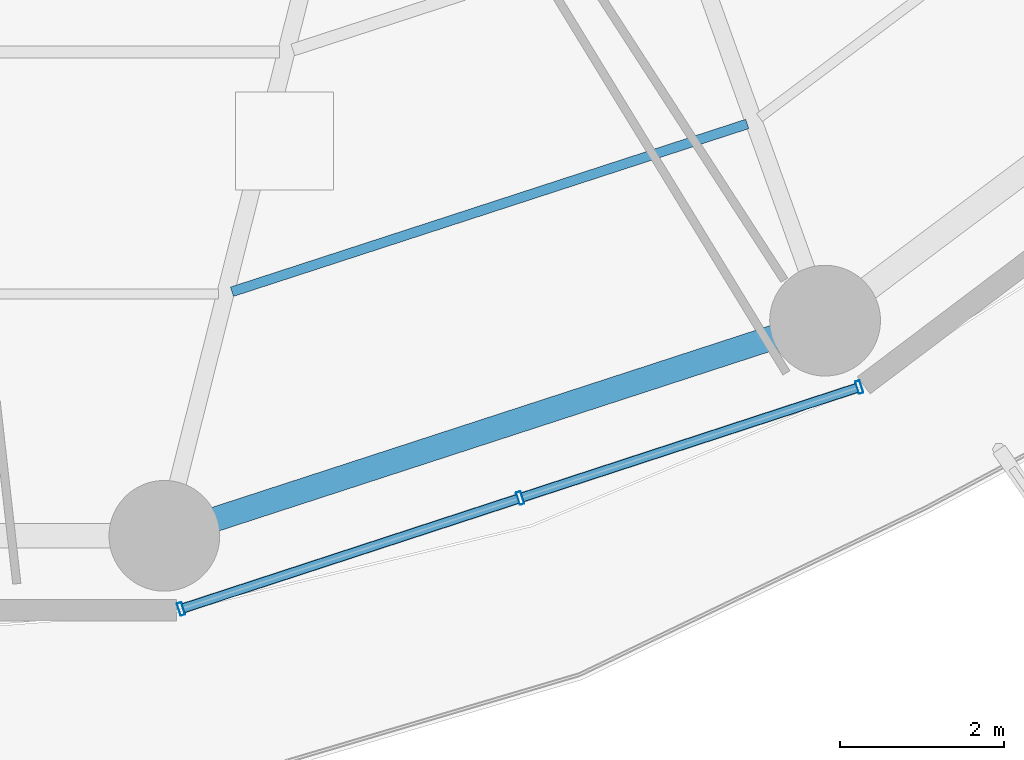
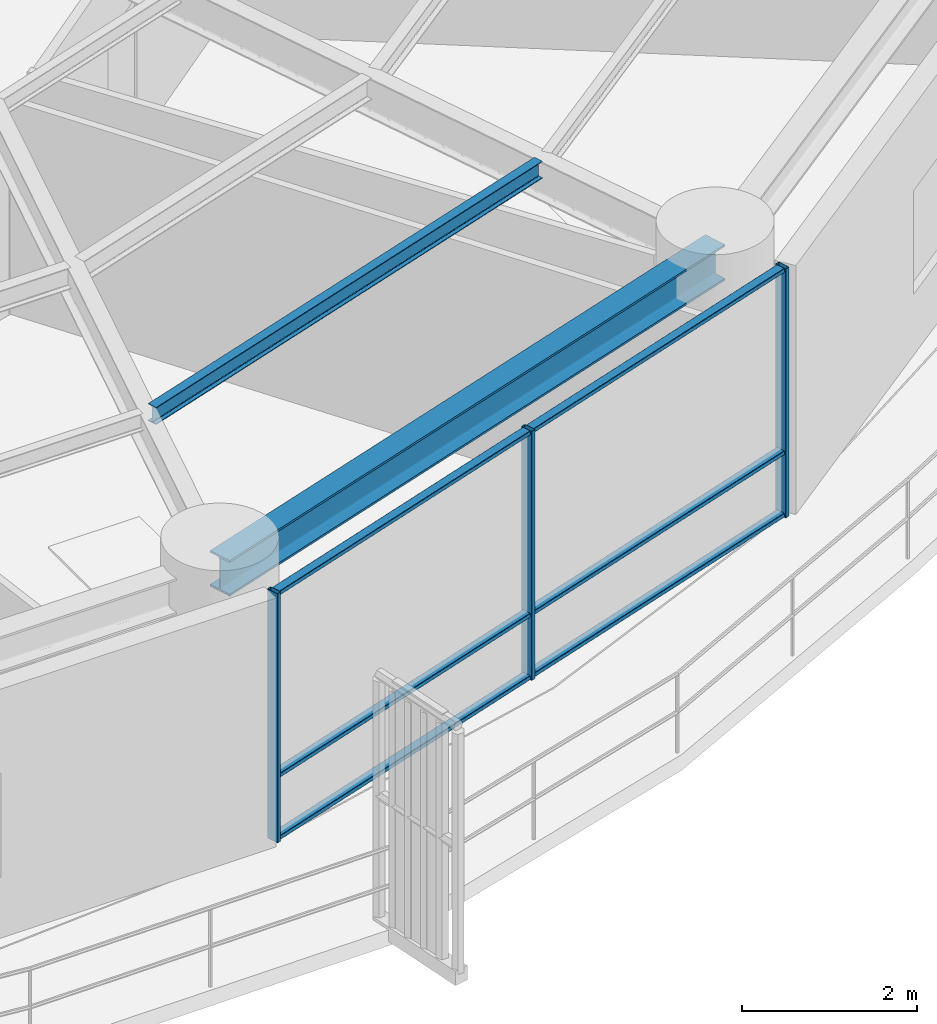
# One storey, part 8 of 33: 9 members, 2 beams, 1 element without a shape of its own.
"""IFC4 building model written with IfcOpenShell, lengths in metres."""

from ifc_helpers import new_model, si_unit, direction, frame, origin, origin_2d, place, context, subcontext, project, spatial, hollow_rectangle, i_section, extrude, material, layer, layer_set, material_profile, profile_set, type_object, element, aggregate, save


model = new_model("IFC4")

# Units and contexts
model_context = context("Model", 3, precision=1e-05, world=origin(), true_north=direction((0.0, 1.0)))
body_context = subcontext(model_context, "Body", "Model", "MODEL_VIEW")
ifc_project = project(units=[si_unit("LENGTHUNIT", "METRE"), si_unit("AREAUNIT", "SQUARE_METRE"), si_unit("VOLUMEUNIT", "CUBIC_METRE"), si_unit("PLANEANGLEUNIT", "RADIAN"), si_unit("MASSUNIT", "GRAM", prefix="KILO")], contexts=[model_context])

# Site, building, storey
site_placement = place(None, origin())
site = spatial("IfcSite", under=ifc_project, at=site_placement, CompositionType="ELEMENT")
building_placement = place(site_placement, origin())
building = spatial("IfcBuilding", under=site, at=building_placement, Name="Kelanora Arch Commons", CompositionType="ELEMENT")
storey_placement = place(building_placement, frame((0.0, 0.0, 80.10009765625)))
storey = spatial("IfcBuildingStorey", under=building, at=storey_placement, Name="L20", CompositionType="ELEMENT", Elevation=80.10009765625)

# Beams
ifc_material_1 = material(Name="Steel S355", Category="steel")
ifc_material_profile_1 = material_profile(ifc_material_1, i_section(OverallWidth=0.1201171875, OverallDepth=0.239990234375, WebThickness=0.006103515625, FlangeThickness=0.009765625, FilletRadius=0.014892578125, at=origin_2d()), Name="IPE240")
ifc_profile_set_1 = profile_set([ifc_material_profile_1], Name="Steel S355")
beam_type_1 = type_object("IfcBeamType", Name="BM-JST-02", PredefinedType="JOIST", material=ifc_profile_set_1)
beam_1_placement = place(storey_placement, frame((79.109375, 39.230712890625, 3.369873046875), z_axis=(0.950862829272, 0.309612467301, 0.0), x_axis=(-0.309612467301, 0.950862829272, 0.0)))
element("IfcBeam", 1, at=beam_1_placement, inside=storey, type_object=beam_type_1, Name="Secondary Chord Joist BJC-28 L20", PredefinedType="JOIST", context=body_context, shape_type="SweptSolid", body=[
    extrude(i_section(OverallWidth=0.1201171875, OverallDepth=0.239990234375, WebThickness=0.006103515625, FlangeThickness=0.009765625, FilletRadius=0.014892578125, at=origin_2d()), origin(), (0.0, 0.0, 1.0), 6.6064453125),
])
ifc_material_profile_2 = material_profile(ifc_material_1, i_section(OverallWidth=0.300048828125, OverallDepth=0.5, WebThickness=0.014404296875, FlangeThickness=0.028076171875, FilletRadius=0.027099609375, at=origin_2d()), Name="HEB500")
ifc_profile_set_2 = profile_set([ifc_material_profile_2], Name="Steel S355")
beam_type_2 = type_object("IfcBeamType", Name="BM-SPN-Z2", PredefinedType="SPANDREL", material=ifc_profile_set_2)
beam_2_placement = place(storey_placement, frame((78.28564453125, 36.25537109375, 3.239990234375), z_axis=(0.950856631974, 0.309631499418, 0.0), x_axis=(-0.309631499418, 0.950856631974, 0.0)))
element("IfcBeam", 2, at=beam_2_placement, inside=storey, type_object=beam_type_2, Name="Perimeter Spandrel Beam BS-28 L20", PredefinedType="SPANDREL", context=body_context, shape_type="SweptSolid", body=[
    extrude(i_section(OverallWidth=0.300048828125, OverallDepth=0.5, WebThickness=0.014404296875, FlangeThickness=0.028076171875, FilletRadius=0.027099609375, at=origin_2d()), origin(), (0.0, 0.0, 1.0), 8.470703125),
])

# Curtain wall, members
ifc_material_2 = material(Name="Terracotta ceramic-fritted low-E glass and aluminium", Category="masonry")
ifc_layer = layer(ifc_material_2, 0.159912109375)
ifc_layer_set = layer_set([ifc_layer], Name="Terracotta ceramic-fritted low-E glass and aluminium")
curtain_wall_type = type_object("IfcCurtainWallType", Name="CW-SYS-01", PredefinedType="NOTDEFINED", material=ifc_layer_set)
curtain_wall_placement = place(storey_placement, origin())
curtain_wall = element("IfcCurtainWall", 3, at=curtain_wall_placement, inside=storey, type_object=curtain_wall_type, Name="Unitised Curtain Wall L20-B14", PredefinedType="NOTDEFINED")
ifc_material_3 = material(Name="Powder-coated aluminium terracotta", Category="masonry")
ifc_material_profile_3 = material_profile(ifc_material_3, hollow_rectangle(XDim=0.159912109375, YDim=0.06005859375, WallThickness=0.0048828125, InnerFilletRadius=0.0048828125, OuterFilletRadius=0.010009765625, at=origin_2d()), Name="CWM160x60")
ifc_profile_set_3 = profile_set([ifc_material_profile_3], Name="Powder-coated aluminium terracotta")
member_type_1 = type_object("IfcMemberType", Name="CWM-STD", PredefinedType="MULLION", material=ifc_profile_set_3)
member_1_placement = place(storey_placement, frame((78.48828125, 35.363525390625, 0.0), z_axis=(0.0, 0.0, 1.0), x_axis=(-0.31080470294, 0.950473795867, 0.0)))
member_1 = element("IfcMember", 4, at=member_1_placement, type_object=member_type_1, Name="CW-01 mullion 1", PredefinedType="MULLION", context=body_context, shape_type="SweptSolid", body=[
    extrude(hollow_rectangle(XDim=0.159912109375, YDim=0.06005859375, WallThickness=0.0048828125, InnerFilletRadius=0.0048828125, OuterFilletRadius=0.010009765625, at=origin_2d()), origin(), (0.0, 0.0, 1.0), 3.474853515625),
])
member_2_placement = place(storey_placement, frame((82.622802734375, 36.71533203125, 0.0), z_axis=(0.0, 0.0, 1.0), x_axis=(-0.31080470294, 0.950473795867, 0.0)))
member_2 = element("IfcMember", 5, at=member_2_placement, type_object=member_type_1, Name="CW-01 mullion 2", PredefinedType="MULLION", context=body_context, shape_type="SweptSolid", body=[
    extrude(hollow_rectangle(XDim=0.159912109375, YDim=0.06005859375, WallThickness=0.0048828125, InnerFilletRadius=0.0048828125, OuterFilletRadius=0.010009765625, at=origin_2d()), origin(), (0.0, 0.0, 1.0), 3.474853515625),
])
member_3_placement = place(storey_placement, frame((86.757080078125, 38.0673828125, 0.0), z_axis=(0.0, 0.0, 1.0), x_axis=(-0.31080470294, 0.950473795867, 0.0)))
member_3 = element("IfcMember", 6, at=member_3_placement, type_object=member_type_1, Name="CW-01 mullion 3", PredefinedType="MULLION", context=body_context, shape_type="SweptSolid", body=[
    extrude(hollow_rectangle(XDim=0.159912109375, YDim=0.06005859375, WallThickness=0.0048828125, InnerFilletRadius=0.0048828125, OuterFilletRadius=0.010009765625, at=origin_2d()), origin(), (0.0, 0.0, 1.0), 3.474853515625),
])
ifc_material_profile_4 = material_profile(ifc_material_3, hollow_rectangle(XDim=0.1201171875, YDim=0.06005859375, WallThickness=0.0048828125, InnerFilletRadius=0.0048828125, OuterFilletRadius=0.010009765625, at=origin_2d()), Name="CWT120x60")
ifc_profile_set_4 = profile_set([ifc_material_profile_4], Name="Powder-coated aluminium terracotta")
member_type_2 = type_object("IfcMemberType", Name="CWT-STD", PredefinedType="USERDEFINED", material=ifc_profile_set_4)
member_4_placement = place(storey_placement, frame((78.516845703125, 35.372802734375, 0.02978515625), z_axis=(0.950477544745, 0.31079323824, 0.0), x_axis=(-0.31079323824, 0.950477544745, 0.0)))
member_4 = element("IfcMember", 7, at=member_4_placement, type_object=member_type_2, Name="CW-01 transom 1.1", ObjectType="TRANSOM", PredefinedType="USERDEFINED", context=body_context, shape_type="SweptSolid", body=[
    extrude(hollow_rectangle(XDim=0.1201171875, YDim=0.06005859375, WallThickness=0.0048828125, InnerFilletRadius=0.0048828125, OuterFilletRadius=0.010009765625, at=origin_2d()), origin(), (0.0, 0.0, 1.0), 4.289794921875),
])
member_5_placement = place(storey_placement, frame((78.516845703125, 35.372802734375, 0.89990234375), z_axis=(0.950477544745, 0.31079323824, 0.0), x_axis=(-0.31079323824, 0.950477544745, 0.0)))
member_5 = element("IfcMember", 8, at=member_5_placement, type_object=member_type_2, Name="CW-01 transom 1.2", ObjectType="TRANSOM", PredefinedType="USERDEFINED", context=body_context, shape_type="SweptSolid", body=[
    extrude(hollow_rectangle(XDim=0.1201171875, YDim=0.06005859375, WallThickness=0.0048828125, InnerFilletRadius=0.0048828125, OuterFilletRadius=0.010009765625, at=origin_2d()), origin(), (0.0, 0.0, 1.0), 4.289794921875),
])
member_6_placement = place(storey_placement, frame((78.516845703125, 35.372802734375, 3.44482421875), z_axis=(0.950477544745, 0.31079323824, 0.0), x_axis=(-0.31079323824, 0.950477544745, 0.0)))
member_6 = element("IfcMember", 9, at=member_6_placement, type_object=member_type_2, Name="CW-01 transom 1.3", ObjectType="TRANSOM", PredefinedType="USERDEFINED", context=body_context, shape_type="SweptSolid", body=[
    extrude(hollow_rectangle(XDim=0.1201171875, YDim=0.06005859375, WallThickness=0.0048828125, InnerFilletRadius=0.0048828125, OuterFilletRadius=0.010009765625, at=origin_2d()), origin(), (0.0, 0.0, 1.0), 4.289794921875),
])
member_7_placement = place(storey_placement, frame((82.651123046875, 36.724609375, 0.02978515625), z_axis=(0.950466230394, 0.310827838008, 0.0), x_axis=(-0.310827838008, 0.950466230394, 0.0)))
member_7 = element("IfcMember", 10, at=member_7_placement, type_object=member_type_2, Name="CW-01 transom 2.1", ObjectType="TRANSOM", PredefinedType="USERDEFINED", context=body_context, shape_type="SweptSolid", body=[
    extrude(hollow_rectangle(XDim=0.1201171875, YDim=0.06005859375, WallThickness=0.0048828125, InnerFilletRadius=0.0048828125, OuterFilletRadius=0.010009765625, at=origin_2d()), origin(), (0.0, 0.0, 1.0), 4.2900390625),
])
member_8_placement = place(storey_placement, frame((82.651123046875, 36.724609375, 0.89990234375), z_axis=(0.950466230394, 0.310827838008, 0.0), x_axis=(-0.310827838008, 0.950466230394, 0.0)))
member_8 = element("IfcMember", 11, at=member_8_placement, type_object=member_type_2, Name="CW-01 transom 2.2", ObjectType="TRANSOM", PredefinedType="USERDEFINED", context=body_context, shape_type="SweptSolid", body=[
    extrude(hollow_rectangle(XDim=0.1201171875, YDim=0.06005859375, WallThickness=0.0048828125, InnerFilletRadius=0.0048828125, OuterFilletRadius=0.010009765625, at=origin_2d()), origin(), (0.0, 0.0, 1.0), 4.2900390625),
])
member_9_placement = place(storey_placement, frame((82.651123046875, 36.724609375, 3.44482421875), z_axis=(0.950466230394, 0.310827838008, 0.0), x_axis=(-0.310827838008, 0.950466230394, 0.0)))
member_9 = element("IfcMember", 12, at=member_9_placement, type_object=member_type_2, Name="CW-01 transom 2.3", ObjectType="TRANSOM", PredefinedType="USERDEFINED", context=body_context, shape_type="SweptSolid", body=[
    extrude(hollow_rectangle(XDim=0.1201171875, YDim=0.06005859375, WallThickness=0.0048828125, InnerFilletRadius=0.0048828125, OuterFilletRadius=0.010009765625, at=origin_2d()), origin(), (0.0, 0.0, 1.0), 4.2900390625),
])
aggregate(curtain_wall, [member_1, member_2, member_3, member_4, member_5, member_6, member_7, member_8, member_9])

save(model, "model.ifc")
